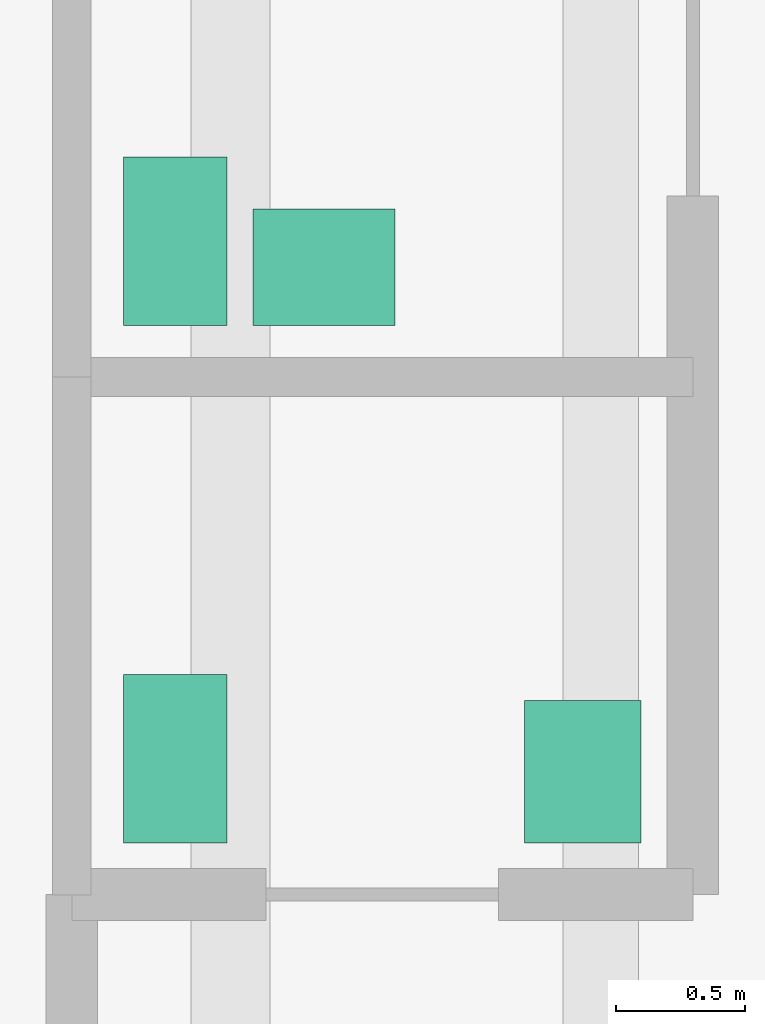
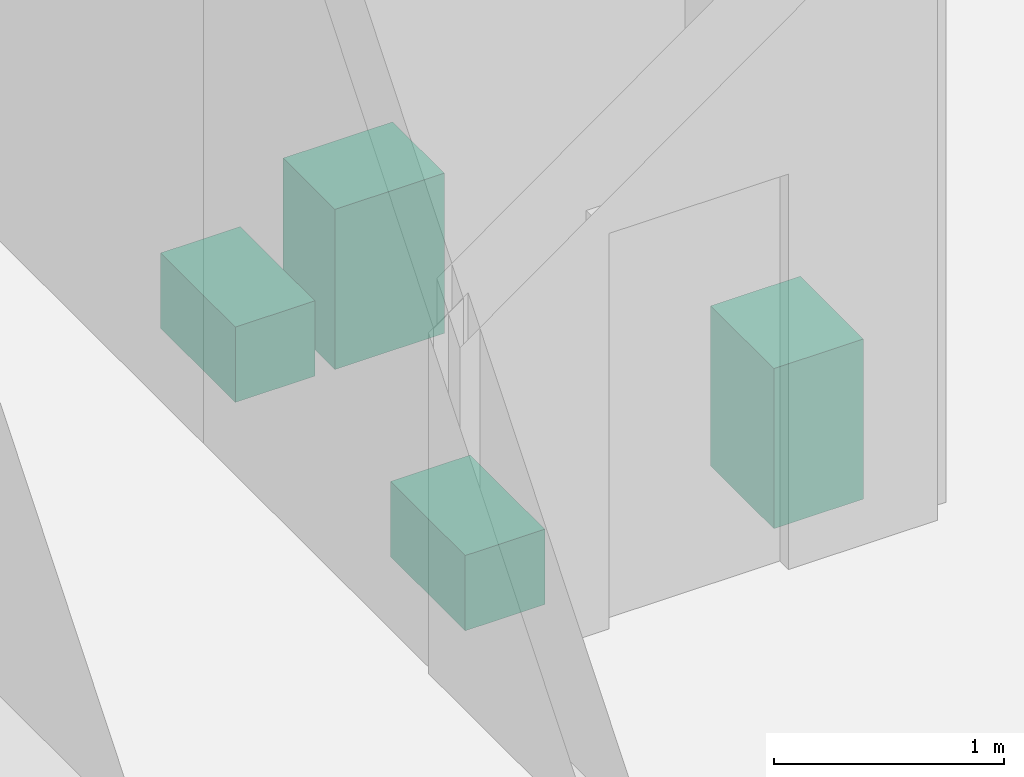
# One storey, part 9 of 9: 4 sanitary terminals.
"""IFC4 building model written with IfcOpenShell, lengths in metres."""

from ifc_helpers import new_model, si_unit, direction, frame, origin, origin_2d, place, context, subcontext, project, spatial, rectangle, extrude, material, type_object, element, save


model = new_model("IFC4")

# Units and contexts
model_context = context("Model", 3, precision=1e-05, world=origin(), true_north=direction((0.0, 1.0)))
body_context = subcontext(model_context, "Body", "Model", "MODEL_VIEW")
ifc_project = project(units=[si_unit("LENGTHUNIT", "METRE"), si_unit("AREAUNIT", "SQUARE_METRE"), si_unit("VOLUMEUNIT", "CUBIC_METRE"), si_unit("PLANEANGLEUNIT", "RADIAN"), si_unit("MASSUNIT", "GRAM", prefix="KILO")], contexts=[model_context])

# Site, building, storey
site_placement = place(None, origin())
site = spatial("IfcSite", under=ifc_project, at=site_placement, CompositionType="ELEMENT")
building_placement = place(site_placement, origin())
building = spatial("IfcBuilding", under=site, at=building_placement, Name="Mashrafa Tower", CompositionType="ELEMENT")
storey_placement = place(building_placement, frame((0.0, 0.0, 104.39990234375)))
storey = spatial("IfcBuildingStorey", under=building, at=storey_placement, Name="L23", CompositionType="ELEMENT", Elevation=104.39990234375)

# Sanitary terminals
ifc_material_1 = material(Name="Vitreous china")
sanitary_terminal_type_1 = type_object("IfcSanitaryTerminalType", Name="Toilet pan 400 x 650", PredefinedType="TOILETPAN", material=ifc_material_1)
for number, where, z_axis, x_axis, name in (
    (1, (13.449951171875, 3.125, 0.000244140625), (0.0, 0.0, 1.0), (1.0, 0.0, 0.0), "Toilet pan Refuge WC L23"),
    (2, (13.449951171875, 5.125, 0.000244140625), (0.0, 0.0, 1.0), (1.0, 0.0, 0.0), "Toilet pan Refuge Accessible WC L23"),
):
    element("IfcSanitaryTerminal", number, at=place(storey_placement, frame(where, z_axis=z_axis, x_axis=x_axis)), inside=storey, type_object=sanitary_terminal_type_1, Name=name, PredefinedType="TOILETPAN", context=body_context, shape_type="SweptSolid", body=[
        extrude(rectangle(XDim=0.39990234375, YDim=0.64990234375, at=origin_2d()), origin(), (0.0, 0.0, 1.0), 0.39990234375),
    ])
ifc_material_2 = material(Name="Vitreous china")
sanitary_terminal_type_2 = type_object("IfcSanitaryTerminalType", Name="Wash basin 550 x 450", PredefinedType="WASHHANDBASIN", material=ifc_material_2)
for number, where, z_axis, x_axis, name in (
    (3, (15.02490234375, 3.074951171875, 0.0), (0.0, 0.0, 1.0), (0.0, 1.0, 0.0), "Wash basin Refuge WC L23"),
    (4, (14.02490234375, 5.02490234375, 0.0), (0.0, 0.0, 1.0), (1.0, 0.0, 0.0), "Wash basin Refuge Accessible WC L23"),
):
    element("IfcSanitaryTerminal", number, at=place(storey_placement, frame(where, z_axis=z_axis, x_axis=x_axis)), inside=storey, type_object=sanitary_terminal_type_2, Name=name, PredefinedType="WASHHANDBASIN", context=body_context, shape_type="SweptSolid", body=[
        extrude(rectangle(XDim=0.550048828125, YDim=0.449951171875, at=origin_2d()), origin(), (0.0, 0.0, 1.0), 0.85009765625),
    ])

save(model, "model.ifc")
